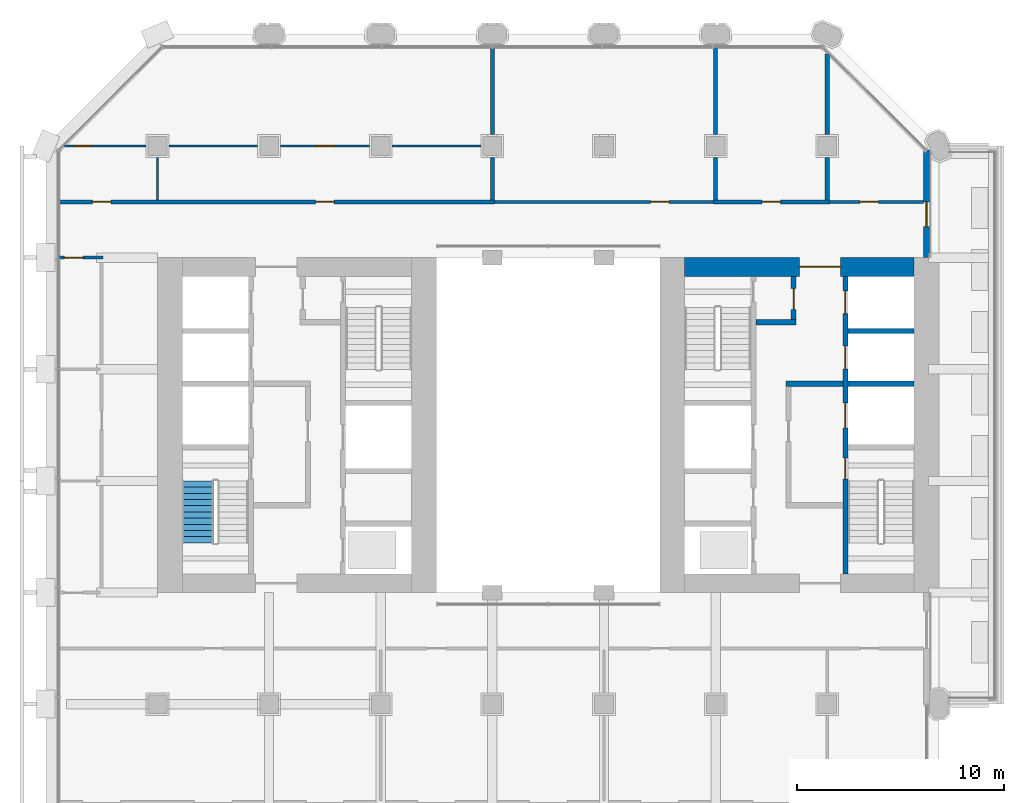
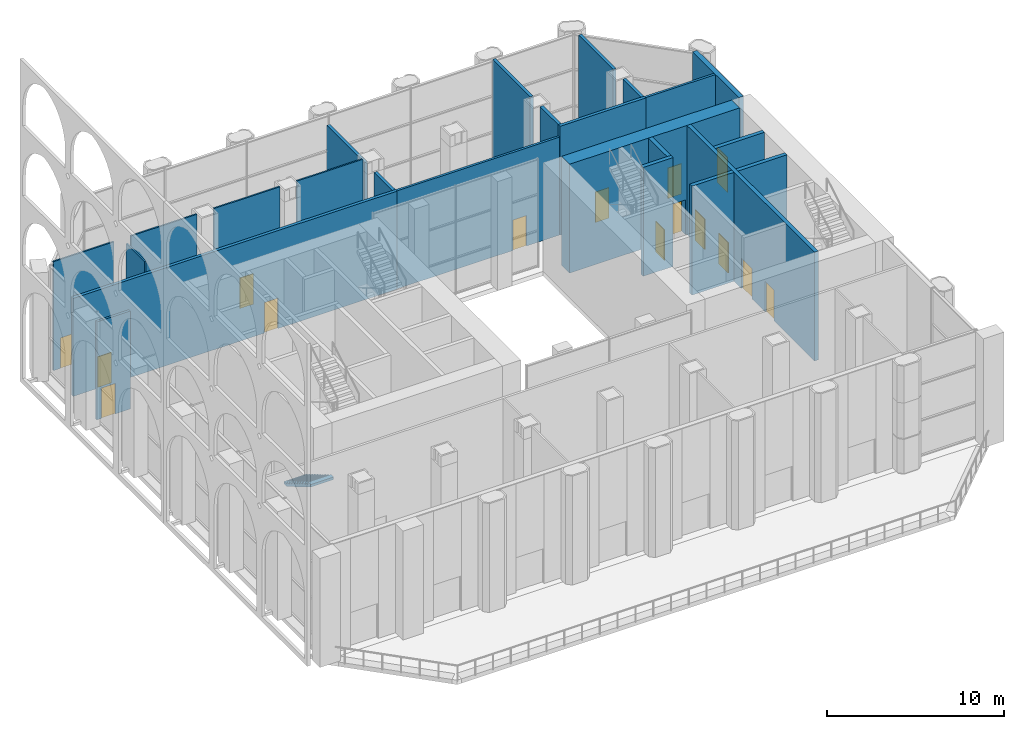
# One storey, part 11 of 20: 24 walls, 15 doors, 1 stair flight, 15 openings, 1 element without a shape of its own.
"""IFC4 building model written with IfcOpenShell, lengths in metres."""

from ifc_helpers import new_model, si_unit, direction, frame, frame_2d, origin, place, context, subcontext, project, spatial, polyline, rectangle, outline, extrude, material, layer, layer_set, type_object, element, fill, aggregate, save


model = new_model("IFC4")

# Units and contexts
model_context = context("Model", 3, precision=1e-05, world=origin(), true_north=direction((0.0, 1.0)))
body_context = subcontext(model_context, "Body", "Model", "MODEL_VIEW")
ifc_project = project(units=[si_unit("LENGTHUNIT", "METRE"), si_unit("AREAUNIT", "SQUARE_METRE"), si_unit("VOLUMEUNIT", "CUBIC_METRE"), si_unit("PLANEANGLEUNIT", "RADIAN"), si_unit("MASSUNIT", "GRAM", prefix="KILO")], contexts=[model_context])

# Site, building, storey
site_placement = place(None, origin())
site = spatial("IfcSite", under=ifc_project, at=site_placement, CompositionType="ELEMENT")
building_placement = place(site_placement, origin())
building = spatial("IfcBuilding", under=site, at=building_placement, Name="Tabaq Tower and Sports Hall", CompositionType="ELEMENT")
storey_placement = place(building_placement, frame((0.0, 0.0, 130.60009765625)))
storey = spatial("IfcBuildingStorey", under=building, at=storey_placement, Name="L31", CompositionType="ELEMENT", Elevation=130.60009765625)

# Wall, opening, door
ifc_material_1 = material(Name="Concrete C50/60", Category="concrete")
ifc_layer_1 = layer(ifc_material_1, 0.89990234375)
ifc_layer_set_1 = layer_set([ifc_layer_1], Name="Core wall 900 Concrete C50/60")
wall_type_1 = type_object("IfcWallType", Name="Core wall 900 Concrete C50/60", PredefinedType="SOLIDWALL", material=ifc_layer_set_1)
wall_1_placement = place(storey_placement, frame((30.89990234375, 31.949951171875, 0.0), z_axis=(0.0, 0.0, 1.0), x_axis=(1.0, 0.0, 0.0)))
wall_1 = element("IfcWall", 1, at=wall_1_placement, inside=storey, type_object=wall_type_1, Name="Core wall E L31", PredefinedType="SOLIDWALL", context=body_context, shape_type="SweptSolid", body=[
    extrude(rectangle(XDim=11.10009765625, YDim=0.89990234375, at=frame_2d((5.550048828125, 0.0))), origin(), (0.0, 0.0, 1.0), 7.5),
])
opening_1_placement = place(wall_1_placement, frame((5.550048828125, 0.0, 0.0)))
opening_1 = element("IfcOpeningElement", 2, at=opening_1_placement, cuts=wall_1, Name="Opening PD-EL31-02", PredefinedType="OPENING", context=body_context, shape_type="SweptSolid", body=[
    extrude(rectangle(XDim=2.0, YDim=2.39990234375, at=frame_2d((1.0, 1.199951171875))), frame((0.0, 0.449951171875, 0.0), z_axis=(0.0, -1.0, 0.0), x_axis=(1.0, 0.0, 0.0)), (0.0, 0.0, 1.0), 0.89990234375),
])
ifc_material_2 = material(Name="Steel fire door", Category="steel")
door_type_1 = type_object("IfcDoorType", Name="Core entrance door 2000", OperationType="DOUBLE_DOOR_SINGLE_SWING", PredefinedType="DOOR", material=ifc_material_2)
door_1_placement = place(opening_1_placement, origin())
door_1 = element("IfcDoor", 3, at=door_1_placement, inside=storey, type_object=door_type_1, Name="Core entrance north E L31", OperationType="DOUBLE_DOOR_SINGLE_SWING", OverallHeight=2.39990234375, OverallWidth=2.0, PredefinedType="DOOR", context=body_context, shape_type="SweptSolid", body=[
    extrude(rectangle(XDim=2.0, YDim=2.39990234375, at=frame_2d((1.0, 1.199951171875))), frame((0.0, 0.02490234375, 0.0), z_axis=(0.0, -1.0, 0.0), x_axis=(1.0, 0.0, 0.0)), (0.0, 0.0, 1.0), 0.050048828125),
])
fill(opening_1, door_1)

ifc_material_3 = material(Name="Blockwork", Category="masonry")
ifc_layer_2 = layer(ifc_material_3, 0.199951171875)
ifc_layer_set_2 = layer_set([ifc_layer_2], Name="Fire compartment wall 200 Blockwork")
wall_type_2 = type_object("IfcWallType", Name="Fire compartment wall 200 Blockwork", PredefinedType="PARTITIONING", material=ifc_layer_set_2)
wall_2_placement = place(storey_placement, frame((37.89990234375, 35.10009765625, 0.0), z_axis=(0.0, 0.0, 1.0), x_axis=(-1.0, 0.0, 0.0)))
wall_2 = element("IfcWall", 4, at=wall_2_placement, inside=storey, type_object=wall_type_2, Name="Compartment wall L31", PredefinedType="PARTITIONING", context=body_context, shape_type="SweptSolid", body=[
    extrude(rectangle(XDim=5.599853515625, YDim=0.199951171875, at=frame_2d((2.7998046875, 0.0))), origin(), (0.0, 0.0, 1.0), 7.5),
])
opening_2_placement = place(wall_2_placement, frame((2.35009765625, 0.0, 0.0)))
opening_2 = element("IfcOpeningElement", 5, at=opening_2_placement, cuts=wall_2, Name="Opening L31-002", PredefinedType="OPENING", context=body_context, shape_type="SweptSolid", body=[
    extrude(rectangle(XDim=0.89990234375, YDim=2.10009765625, at=frame_2d((0.449951171875, 1.050048828125))), frame((0.0, 0.10009765625, 0.0), z_axis=(0.0, -1.0, 0.0), x_axis=(1.0, 0.0, 0.0)), (0.0, 0.0, 1.0), 0.199951171875),
])
ifc_material_4 = material(Name="Steel fire door", Category="steel")
door_type_2 = type_object("IfcDoorType", Name="Plant room door 900 left hand", OperationType="SINGLE_SWING_LEFT", PredefinedType="DOOR", material=ifc_material_4)
door_2_placement = place(opening_2_placement, origin())
door_2 = element("IfcDoor", 6, at=door_2_placement, inside=storey, type_object=door_type_2, Name="Plant room door L31-002", OperationType="SINGLE_SWING_LEFT", OverallHeight=2.10009765625, OverallWidth=0.89990234375, PredefinedType="DOOR", context=body_context, shape_type="SweptSolid", body=[
    extrude(rectangle(XDim=0.89990234375, YDim=2.10009765625, at=frame_2d((0.449951171875, 1.050048828125))), frame((0.0, 0.02490234375, 0.0), z_axis=(0.0, -1.0, 0.0), x_axis=(1.0, 0.0, 0.0)), (0.0, 0.0, 1.0), 0.050048828125),
])
fill(opening_2, door_2)

# Wall, openings, doors
wall_3_placement = place(storey_placement, frame((21.699951171875, 35.10009765625, 0.0), z_axis=(0.0, 0.0, 1.0), x_axis=(-1.0, 0.0, 0.0)))
wall_3 = element("IfcWall", 7, at=wall_3_placement, inside=storey, type_object=wall_type_2, Name="Compartment wall L31", PredefinedType="PARTITIONING", context=body_context, shape_type="SweptSolid", body=[
    extrude(rectangle(XDim=21.099853515625, YDim=0.199951171875, at=frame_2d((10.5498046875, 0.0))), origin(), (0.0, 0.0, 1.0), 6.75),
])
opening_3_placement = place(wall_3_placement, frame((7.75, 0.0, 0.0)))
opening_3 = element("IfcOpeningElement", 8, at=opening_3_placement, cuts=wall_3, Name="Opening L31-008", PredefinedType="OPENING", context=body_context, shape_type="SweptSolid", body=[
    extrude(rectangle(XDim=0.89990234375, YDim=2.10009765625, at=frame_2d((0.449951171875, 1.050048828125))), frame((0.0, 0.10009765625, 0.0), z_axis=(0.0, -1.0, 0.0), x_axis=(1.0, 0.0, 0.0)), (0.0, 0.0, 1.0), 0.199951171875),
])
opening_4_placement = place(wall_3_placement, frame((18.550048828125, 0.0, 0.0)))
opening_4 = element("IfcOpeningElement", 9, at=opening_4_placement, cuts=wall_3, Name="Opening L31-009", PredefinedType="OPENING", context=body_context, shape_type="SweptSolid", body=[
    extrude(rectangle(XDim=0.89990234375, YDim=2.10009765625, at=frame_2d((0.449951171875, 1.050048828125))), frame((0.0, 0.10009765625, 0.0), z_axis=(0.0, -1.0, 0.0), x_axis=(1.0, 0.0, 0.0)), (0.0, 0.0, 1.0), 0.199951171875),
])
ifc_material_5 = material(Name="Steel fire door", Category="steel")
door_type_3 = type_object("IfcDoorType", Name="Entrance door 900 left hand", OperationType="SINGLE_SWING_LEFT", PredefinedType="DOOR", material=ifc_material_5)
door_3_placement = place(opening_4_placement, origin())
door_3 = element("IfcDoor", 10, at=door_3_placement, inside=storey, type_object=door_type_3, Name="Entrance door L31-009", OperationType="SINGLE_SWING_LEFT", OverallHeight=2.10009765625, OverallWidth=0.89990234375, PredefinedType="DOOR", context=body_context, shape_type="SweptSolid", body=[
    extrude(rectangle(XDim=0.89990234375, YDim=2.10009765625, at=frame_2d((0.449951171875, 1.050048828125))), frame((0.0, 0.02490234375, 0.0), z_axis=(0.0, -1.0, 0.0), x_axis=(1.0, 0.0, 0.0)), (0.0, 0.0, 1.0), 0.050048828125),
])
fill(opening_4, door_3)
ifc_material_6 = material(Name="Steel fire door", Category="steel")
door_type_4 = type_object("IfcDoorType", Name="Entrance door 900 right hand", OperationType="SINGLE_SWING_RIGHT", PredefinedType="DOOR", material=ifc_material_6)
door_4_placement = place(opening_3_placement, origin())
door_4 = element("IfcDoor", 11, at=door_4_placement, inside=storey, type_object=door_type_4, Name="Entrance door L31-008", OperationType="SINGLE_SWING_RIGHT", OverallHeight=2.10009765625, OverallWidth=0.89990234375, PredefinedType="DOOR", context=body_context, shape_type="SweptSolid", body=[
    extrude(rectangle(XDim=0.89990234375, YDim=2.10009765625, at=frame_2d((0.449951171875, 1.050048828125))), frame((0.0, 0.02490234375, 0.0), z_axis=(0.0, -1.0, 0.0), x_axis=(1.0, 0.0, 0.0)), (0.0, 0.0, 1.0), 0.050048828125),
])
fill(opening_3, door_4)

# Walls
wall_4_placement = place(storey_placement, frame((32.39990234375, 35.199951171875, 0.0), z_axis=(0.0, 0.0, 1.0), x_axis=(0.0, 1.0, 0.0)))
element("IfcWall", 12, at=wall_4_placement, inside=storey, type_object=wall_type_2, Name="Compartment wall L31", PredefinedType="PARTITIONING", context=body_context, shape_type="SweptSolid", body=[
    extrude(rectangle(XDim=2.04931640625, YDim=0.199951171875, at=frame_2d((1.024658203125, 0.0))), origin(), (0.0, 0.0, 1.0), 7.5),
])
wall_5_placement = place(storey_placement, frame((32.39990234375, 38.3505859375, 0.0), z_axis=(0.0, 0.0, 1.0), x_axis=(0.0, 1.0, 0.0)))
element("IfcWall", 13, at=wall_5_placement, inside=storey, type_object=wall_type_2, Name="Compartment wall L31", PredefinedType="PARTITIONING", context=body_context, shape_type="SweptSolid", body=[
    extrude(rectangle(XDim=4.24951171875, YDim=0.199951171875, at=frame_2d((2.124755859375, 0.0))), origin(), (0.0, 0.0, 1.0), 7.5),
])
wall_6_placement = place(storey_placement, frame((21.60009765625, 42.60009765625, 0.0), z_axis=(0.0, 0.0, 1.0), x_axis=(0.0, -1.0, 0.0)))
element("IfcWall", 14, at=wall_6_placement, inside=storey, type_object=wall_type_2, Name="Compartment wall L31", PredefinedType="PARTITIONING", context=body_context, shape_type="SweptSolid", body=[
    extrude(rectangle(XDim=4.24951171875, YDim=0.199951171875, at=frame_2d((2.124755859375, 0.0))), origin(), (0.0, 0.0, 1.0), 6.75),
])
wall_7_placement = place(storey_placement, frame((21.60009765625, 37.249267578125, 0.0), z_axis=(0.0, 0.0, 1.0), x_axis=(0.0, -1.0, 0.0)))
element("IfcWall", 15, at=wall_7_placement, inside=storey, type_object=wall_type_2, Name="Compartment wall L31", PredefinedType="PARTITIONING", context=body_context, shape_type="SweptSolid", body=[
    extrude(rectangle(XDim=2.04931640625, YDim=0.199951171875, at=frame_2d((1.024658203125, 0.0))), origin(), (0.0, 0.0, 1.0), 6.75),
])
wall_8_placement = place(storey_placement, frame((37.800048828125, 35.199951171875, 0.0), z_axis=(0.0, 0.0, 1.0), x_axis=(0.0, 1.0, 0.0)))
element("IfcWall", 16, at=wall_8_placement, inside=storey, type_object=wall_type_2, Name="Compartment wall L31", PredefinedType="PARTITIONING", context=body_context, shape_type="SweptSolid", body=[
    extrude(rectangle(XDim=2.04931640625, YDim=0.199951171875, at=frame_2d((1.024658203125, 0.0))), origin(), (0.0, 0.0, 1.0), 7.5),
])
wall_9_placement = place(storey_placement, frame((37.800048828125, 38.3505859375, 0.0), z_axis=(0.0, 0.0, 1.0), x_axis=(0.0, 1.0, 0.0)))
element("IfcWall", 17, at=wall_9_placement, inside=storey, type_object=wall_type_2, Name="Compartment wall L31", PredefinedType="PARTITIONING", context=body_context, shape_type="SweptSolid", body=[
    extrude(rectangle(XDim=3.90087890625, YDim=0.199951171875, at=frame_2d((1.950439453125, 0.0))), origin(), (0.0, 0.0, 1.0), 7.5),
])

# Wall, opening, door
ifc_material_7 = material(Name="Gypsum board on steel studs", Category="steel")
ifc_layer_3 = layer(ifc_material_7, 0.10009765625)
ifc_layer_set_3 = layer_set([ifc_layer_3], Name="Partition 100 Gypsum board")
wall_type_3 = type_object("IfcWallType", Name="Partition 100 Gypsum board", PredefinedType="PARTITIONING", material=ifc_layer_set_3)
wall_10_placement = place(storey_placement, frame((0.8984375, 37.800048828125, 0.0), z_axis=(0.0, 0.0, 1.0), x_axis=(1.0, 0.0, 0.0)))
wall_10 = element("IfcWall", 18, at=wall_10_placement, inside=storey, type_object=wall_type_3, Name="Partition wall L31", PredefinedType="PARTITIONING", context=body_context, shape_type="SweptSolid", body=[
    extrude(rectangle(XDim=3.950927734375, YDim=0.10009765625, at=frame_2d((1.9755859375, 0.0))), origin(), (0.0, 0.0, 1.0), 7.5),
])
opening_5_placement = place(wall_10_placement, frame((0.451416015625, 0.0, 0.0)))
opening_5 = element("IfcOpeningElement", 19, at=opening_5_placement, cuts=wall_10, Name="Opening L31-014", PredefinedType="OPENING", context=body_context, shape_type="SweptSolid", body=[
    extrude(rectangle(XDim=0.89990234375, YDim=2.10009765625, at=frame_2d((0.449951171875, 1.050048828125))), frame((0.0, 0.050048828125, 0.0), z_axis=(0.0, -1.0, 0.0), x_axis=(1.0, 0.0, 0.0)), (0.0, 0.0, 1.0), 0.10009765625),
])
ifc_material_8 = material(Name="Timber leaf in steel frame", Category="steel")
door_type_5 = type_object("IfcDoorType", Name="Internal door 900 left hand", OperationType="SINGLE_SWING_LEFT", PredefinedType="DOOR", material=ifc_material_8)
door_5_placement = place(opening_5_placement, origin())
door_5 = element("IfcDoor", 20, at=door_5_placement, inside=storey, type_object=door_type_5, Name="Internal door L31-014", OperationType="SINGLE_SWING_LEFT", OverallHeight=2.10009765625, OverallWidth=0.89990234375, PredefinedType="DOOR", context=body_context, shape_type="SweptSolid", body=[
    extrude(rectangle(XDim=0.89990234375, YDim=2.10009765625, at=frame_2d((0.449951171875, 1.050048828125))), frame((0.0, 0.02490234375, 0.0), z_axis=(0.0, -1.0, 0.0), x_axis=(1.0, 0.0, 0.0)), (0.0, 0.0, 1.0), 0.050048828125),
])
fill(opening_5, door_5)

# Wall
wall_11_placement = place(storey_placement, frame((5.95068359375, 37.800048828125, 0.0), z_axis=(0.0, 0.0, 1.0), x_axis=(1.0, 0.0, 0.0)))
element("IfcWall", 21, at=wall_11_placement, inside=storey, type_object=wall_type_3, Name="Partition wall L31", PredefinedType="PARTITIONING", context=body_context, shape_type="SweptSolid", body=[
    extrude(rectangle(XDim=4.298583984375, YDim=0.10009765625, at=frame_2d((2.1494140625, 0.0))), origin(), (0.0, 0.0, 1.0), 7.5),
])

# Wall, opening, door
wall_12_placement = place(storey_placement, frame((11.3505859375, 37.800048828125, 0.0), z_axis=(0.0, 0.0, 1.0), x_axis=(1.0, 0.0, 0.0)))
wall_12 = element("IfcWall", 22, at=wall_12_placement, inside=storey, type_object=wall_type_3, Name="Partition wall L31", PredefinedType="PARTITIONING", context=body_context, shape_type="SweptSolid", body=[
    extrude(rectangle(XDim=4.298828125, YDim=0.10009765625, at=frame_2d((2.1494140625, 0.0))), origin(), (0.0, 0.0, 1.0), 7.5),
])
opening_6_placement = place(wall_12_placement, frame((1.699462890625, 0.0, 0.0)))
opening_6 = element("IfcOpeningElement", 23, at=opening_6_placement, cuts=wall_12, Name="Opening L31-013", PredefinedType="OPENING", context=body_context, shape_type="SweptSolid", body=[
    extrude(rectangle(XDim=0.89990234375, YDim=2.10009765625, at=frame_2d((0.449951171875, 1.050048828125))), frame((0.0, 0.050048828125, 0.0), z_axis=(0.0, -1.0, 0.0), x_axis=(1.0, 0.0, 0.0)), (0.0, 0.0, 1.0), 0.10009765625),
])
ifc_material_9 = material(Name="Timber leaf in steel frame", Category="steel")
door_type_6 = type_object("IfcDoorType", Name="Internal door 900 right hand", OperationType="SINGLE_SWING_RIGHT", PredefinedType="DOOR", material=ifc_material_9)
door_6_placement = place(opening_6_placement, origin())
door_6 = element("IfcDoor", 24, at=door_6_placement, inside=storey, type_object=door_type_6, Name="Internal door L31-013", OperationType="SINGLE_SWING_RIGHT", OverallHeight=2.10009765625, OverallWidth=0.89990234375, PredefinedType="DOOR", context=body_context, shape_type="SweptSolid", body=[
    extrude(rectangle(XDim=0.89990234375, YDim=2.10009765625, at=frame_2d((0.449951171875, 1.050048828125))), frame((0.0, 0.02490234375, 0.0), z_axis=(0.0, -1.0, 0.0), x_axis=(1.0, 0.0, 0.0)), (0.0, 0.0, 1.0), 0.050048828125),
])
fill(opening_6, door_6)

# Walls
wall_13_placement = place(storey_placement, frame((16.750732421875, 37.800048828125, 0.0), z_axis=(0.0, 0.0, 1.0), x_axis=(1.0, 0.0, 0.0)))
element("IfcWall", 25, at=wall_13_placement, inside=storey, type_object=wall_type_3, Name="Partition wall L31", PredefinedType="PARTITIONING", context=body_context, shape_type="SweptSolid", body=[
    extrude(rectangle(XDim=4.298583984375, YDim=0.10009765625, at=frame_2d((2.1494140625, 0.0))), origin(), (0.0, 0.0, 1.0), 7.5),
])
wall_14_placement = place(storey_placement, frame((5.39990234375, 37.249267578125, 0.0), z_axis=(0.0, 0.0, 1.0), x_axis=(0.0, -1.0, 0.0)))
element("IfcWall", 26, at=wall_14_placement, inside=storey, type_object=wall_type_3, Name="Partition wall L31", PredefinedType="PARTITIONING", context=body_context, shape_type="SweptSolid", body=[
    extrude(rectangle(XDim=2.04931640625, YDim=0.10009765625, at=frame_2d((1.024658203125, 0.0))), origin(), (0.0, 0.0, 1.0), 7.5),
])

# Wall, opening, door
ifc_material_10 = material(Name="Blockwork", Category="masonry")
ifc_layer_4 = layer(ifc_material_10, 0.14990234375)
ifc_layer_set_4 = layer_set([ifc_layer_4], Name="Separating wall 150 Blockwork")
wall_type_4 = type_object("IfcWallType", Name="Separating wall 150 Blockwork", PredefinedType="PARTITIONING", material=ifc_layer_set_4)
wall_15_placement = place(storey_placement, frame((42.448974609375, 35.10009765625, 0.0), z_axis=(0.0, 0.0, 1.0), x_axis=(-1.0, 0.0, 0.0)))
wall_15 = element("IfcWall", 27, at=wall_15_placement, inside=storey, type_object=wall_type_4, Name="Separating wall L31", PredefinedType="PARTITIONING", context=body_context, shape_type="SweptSolid", body=[
    extrude(rectangle(XDim=4.549072265625, YDim=0.14990234375, at=frame_2d((2.2744140625, 0.0))), origin(), (0.0, 0.0, 1.0), 7.5),
])
opening_7_placement = place(wall_15_placement, frame((2.174072265625, 0.0, 0.0)))
opening_7 = element("IfcOpeningElement", 28, at=opening_7_placement, cuts=wall_15, Name="Opening L31-003", PredefinedType="OPENING", context=body_context, shape_type="SweptSolid", body=[
    extrude(rectangle(XDim=0.89990234375, YDim=2.10009765625, at=frame_2d((0.449951171875, 1.050048828125))), frame((0.0, 0.074951171875, 0.0), z_axis=(0.0, -1.0, 0.0), x_axis=(1.0, 0.0, 0.0)), (0.0, 0.0, 1.0), 0.14990234375),
])
door_7_placement = place(opening_7_placement, origin())
door_7 = element("IfcDoor", 29, at=door_7_placement, inside=storey, type_object=door_type_5, Name="Internal door L31-003", OperationType="SINGLE_SWING_LEFT", OverallHeight=2.10009765625, OverallWidth=0.89990234375, PredefinedType="DOOR", context=body_context, shape_type="SweptSolid", body=[
    extrude(rectangle(XDim=0.89990234375, YDim=2.10009765625, at=frame_2d((0.449951171875, 1.050048828125))), frame((0.0, 0.02490234375, 0.0), z_axis=(0.0, -1.0, 0.0), x_axis=(1.0, 0.0, 0.0)), (0.0, 0.0, 1.0), 0.050048828125),
])
fill(opening_7, door_7)

wall_16_placement = place(storey_placement, frame((32.300048828125, 35.10009765625, 0.0), z_axis=(0.0, 0.0, 1.0), x_axis=(-1.0, 0.0, 0.0)))
wall_16 = element("IfcWall", 30, at=wall_16_placement, inside=storey, type_object=wall_type_4, Name="Separating wall L31", PredefinedType="PARTITIONING", context=body_context, shape_type="SweptSolid", body=[
    extrude(rectangle(XDim=10.60009765625, YDim=0.14990234375, at=frame_2d((5.300048828125, 0.0))), origin(), (0.0, 0.0, 1.0), 6.75),
])
opening_8_placement = place(wall_16_placement, frame((2.14990234375, 0.0, 0.0)))
opening_8 = element("IfcOpeningElement", 31, at=opening_8_placement, cuts=wall_16, Name="Opening L31-001", PredefinedType="OPENING", context=body_context, shape_type="SweptSolid", body=[
    extrude(rectangle(XDim=0.89990234375, YDim=2.10009765625, at=frame_2d((0.449951171875, 1.050048828125))), frame((0.0, 0.074951171875, 0.0), z_axis=(0.0, -1.0, 0.0), x_axis=(1.0, 0.0, 0.0)), (0.0, 0.0, 1.0), 0.14990234375),
])
door_8_placement = place(opening_8_placement, origin())
door_8 = element("IfcDoor", 32, at=door_8_placement, inside=storey, type_object=door_type_5, Name="Internal door L31-001", OperationType="SINGLE_SWING_LEFT", OverallHeight=2.10009765625, OverallWidth=0.89990234375, PredefinedType="DOOR", context=body_context, shape_type="SweptSolid", body=[
    extrude(rectangle(XDim=0.89990234375, YDim=2.10009765625, at=frame_2d((0.449951171875, 1.050048828125))), frame((0.0, 0.02490234375, 0.0), z_axis=(0.0, -1.0, 0.0), x_axis=(1.0, 0.0, 0.0)), (0.0, 0.0, 1.0), 0.050048828125),
])
fill(opening_8, door_8)

wall_17_placement = place(storey_placement, frame((0.60009765625, 32.39990234375, 0.0), z_axis=(0.0, 0.0, 1.0), x_axis=(1.0, 0.0, 0.0)))
wall_17 = element("IfcWall", 33, at=wall_17_placement, inside=storey, type_object=wall_type_4, Name="Separating wall L31", PredefinedType="PARTITIONING", context=body_context, shape_type="SweptSolid", body=[
    extrude(rectangle(XDim=2.1748046875, YDim=0.14990234375, at=frame_2d((1.08740234375, 0.0))), origin(), (0.0, 0.0, 1.0), 6.75),
])
opening_9_placement = place(wall_17_placement, frame((0.300048828125, 0.0, 0.0)))
opening_9 = element("IfcOpeningElement", 34, at=opening_9_placement, cuts=wall_17, Name="Opening L31-007", PredefinedType="OPENING", context=body_context, shape_type="SweptSolid", body=[
    extrude(rectangle(XDim=0.89990234375, YDim=2.10009765625, at=frame_2d((0.449951171875, 1.050048828125))), frame((0.0, 0.074951171875, 0.0), z_axis=(0.0, -1.0, 0.0), x_axis=(1.0, 0.0, 0.0)), (0.0, 0.0, 1.0), 0.14990234375),
])
door_9_placement = place(opening_9_placement, origin())
door_9 = element("IfcDoor", 35, at=door_9_placement, inside=storey, type_object=door_type_6, Name="Internal door L31-007", OperationType="SINGLE_SWING_RIGHT", OverallHeight=2.10009765625, OverallWidth=0.89990234375, PredefinedType="DOOR", context=body_context, shape_type="SweptSolid", body=[
    extrude(rectangle(XDim=0.89990234375, YDim=2.10009765625, at=frame_2d((0.449951171875, 1.050048828125))), frame((0.0, 0.02490234375, 0.0), z_axis=(0.0, -1.0, 0.0), x_axis=(1.0, 0.0, 0.0)), (0.0, 0.0, 1.0), 0.050048828125),
])
fill(opening_9, door_9)

# Wall, openings, doors
ifc_material_11 = material(Name="Concrete C40/50", Category="concrete")
ifc_layer_5 = layer(ifc_material_11, 0.25)
ifc_layer_set_5 = layer_set([ifc_layer_5], Name="Shaft and stair wall 250 Concrete C40/50")
wall_type_5 = type_object("IfcWallType", Name="Shaft and stair wall 250 Concrete C40/50", PredefinedType="SOLIDWALL", material=ifc_layer_set_5)
wall_18_placement = place(storey_placement, frame((38.675048828125, 17.10009765625, 0.0), z_axis=(0.0, 0.0, 1.0), x_axis=(0.0, 1.0, 0.0)))
wall_18 = element("IfcWall", 36, at=wall_18_placement, inside=storey, type_object=wall_type_5, Name="Shaft wall E L31", PredefinedType="SOLIDWALL", context=body_context, shape_type="SweptSolid", body=[
    extrude(rectangle(XDim=14.39990234375, YDim=0.25, at=frame_2d((7.199951171875, 0.0))), origin(), (0.0, 0.0, 1.0), 7.5),
])
opening_10_placement = place(wall_18_placement, frame((4.60009765625, 0.0, 0.0)))
opening_10 = element("IfcOpeningElement", 37, at=opening_10_placement, cuts=wall_18, Name="Opening SD-EL31-03", PredefinedType="OPENING", context=body_context, shape_type="SweptSolid", body=[
    extrude(rectangle(XDim=1.0, YDim=2.10009765625, at=frame_2d((0.5, 1.050048828125))), frame((0.0, 0.125, 0.0), z_axis=(0.0, -1.0, 0.0), x_axis=(1.0, 0.0, 0.0)), (0.0, 0.0, 1.0), 0.25),
])
opening_11_placement = place(wall_18_placement, frame((7.0625, 0.0, 0.0)))
opening_11 = element("IfcOpeningElement", 38, at=opening_11_placement, cuts=wall_18, Name="Opening LD-FF2-L31", PredefinedType="OPENING", context=body_context, shape_type="SweptSolid", body=[
    extrude(rectangle(XDim=1.199951171875, YDim=2.10009765625, at=frame_2d((0.60009765625, 1.050048828125))), frame((0.0, 0.125, 0.0), z_axis=(0.0, -1.0, 0.0), x_axis=(1.0, 0.0, 0.0)), (0.0, 0.0, 1.0), 0.25),
])
opening_12_placement = place(wall_18_placement, frame((9.925048828125, 0.0, 0.0)))
opening_12 = element("IfcOpeningElement", 39, at=opening_12_placement, cuts=wall_18, Name="Opening LD-LR3-L31", PredefinedType="OPENING", context=body_context, shape_type="SweptSolid", body=[
    extrude(rectangle(XDim=1.10009765625, YDim=2.10009765625, at=frame_2d((0.550048828125, 1.050048828125))), frame((0.0, 0.125, 0.0), z_axis=(0.0, -1.0, 0.0), x_axis=(1.0, 0.0, 0.0)), (0.0, 0.0, 1.0), 0.25),
])
opening_13_placement = place(wall_18_placement, frame((12.58740234375, 0.0, 0.0)))
opening_13 = element("IfcOpeningElement", 40, at=opening_13_placement, cuts=wall_18, Name="Opening LD-LR4-L31", PredefinedType="OPENING", context=body_context, shape_type="SweptSolid", body=[
    extrude(rectangle(XDim=1.10009765625, YDim=2.10009765625, at=frame_2d((0.550048828125, 1.050048828125))), frame((0.0, 0.125, 0.0), z_axis=(0.0, -1.0, 0.0), x_axis=(1.0, 0.0, 0.0)), (0.0, 0.0, 1.0), 0.25),
])
ifc_material_12 = material(Name="Stainless steel", Category="steel")
door_type_7 = type_object("IfcDoorType", Name="Lift landing door 1100", OperationType="DOUBLE_DOOR_SLIDING", PredefinedType="DOOR", material=ifc_material_12)
door_10_placement = place(opening_12_placement, origin())
door_10 = element("IfcDoor", 41, at=door_10_placement, inside=storey, type_object=door_type_7, Name="Lift landing door LR3 E L31", OperationType="DOUBLE_DOOR_SLIDING", OverallHeight=2.10009765625, OverallWidth=1.10009765625, PredefinedType="DOOR", context=body_context, shape_type="SweptSolid", body=[
    extrude(rectangle(XDim=1.10009765625, YDim=2.10009765625, at=frame_2d((0.550048828125, 1.050048828125))), frame((0.0, 0.02490234375, 0.0), z_axis=(0.0, -1.0, 0.0), x_axis=(1.0, 0.0, 0.0)), (0.0, 0.0, 1.0), 0.050048828125),
])
fill(opening_12, door_10)
door_11_placement = place(opening_13_placement, origin())
door_11 = element("IfcDoor", 42, at=door_11_placement, inside=storey, type_object=door_type_7, Name="Lift landing door LR4 E L31", OperationType="DOUBLE_DOOR_SLIDING", OverallHeight=2.10009765625, OverallWidth=1.10009765625, PredefinedType="DOOR", context=body_context, shape_type="SweptSolid", body=[
    extrude(rectangle(XDim=1.10009765625, YDim=2.10009765625, at=frame_2d((0.550048828125, 1.050048828125))), frame((0.0, 0.02490234375, 0.0), z_axis=(0.0, -1.0, 0.0), x_axis=(1.0, 0.0, 0.0)), (0.0, 0.0, 1.0), 0.050048828125),
])
fill(opening_13, door_11)
ifc_material_13 = material(Name="Stainless steel", Category="steel")
door_type_8 = type_object("IfcDoorType", Name="Lift landing door 1200", OperationType="DOUBLE_DOOR_SLIDING", PredefinedType="DOOR", material=ifc_material_13)
door_12_placement = place(opening_11_placement, origin())
door_12 = element("IfcDoor", 43, at=door_12_placement, inside=storey, type_object=door_type_8, Name="Lift landing door FF2 E L31", OperationType="DOUBLE_DOOR_SLIDING", OverallHeight=2.10009765625, OverallWidth=1.199951171875, PredefinedType="DOOR", context=body_context, shape_type="SweptSolid", body=[
    extrude(rectangle(XDim=1.199951171875, YDim=2.10009765625, at=frame_2d((0.60009765625, 1.050048828125))), frame((0.0, 0.02490234375, 0.0), z_axis=(0.0, -1.0, 0.0), x_axis=(1.0, 0.0, 0.0)), (0.0, 0.0, 1.0), 0.050048828125),
])
fill(opening_11, door_12)
ifc_material_14 = material(Name="Steel fire door", Category="steel")
door_type_9 = type_object("IfcDoorType", Name="Stair door 1000", OperationType="SINGLE_SWING_LEFT", PredefinedType="DOOR", material=ifc_material_14)
door_13_placement = place(opening_10_placement, origin())
door_13 = element("IfcDoor", 44, at=door_13_placement, inside=storey, type_object=door_type_9, Name="Stair door ST3 E L31", OperationType="SINGLE_SWING_LEFT", OverallHeight=2.10009765625, OverallWidth=1.0, PredefinedType="DOOR", context=body_context, shape_type="SweptSolid", body=[
    extrude(rectangle(XDim=1.0, YDim=2.10009765625, at=frame_2d((0.5, 1.050048828125))), frame((0.0, 0.02490234375, 0.0), z_axis=(0.0, -1.0, 0.0), x_axis=(1.0, 0.0, 0.0)), (0.0, 0.0, 1.0), 0.050048828125),
])
fill(opening_10, door_13)

# Walls
wall_19_placement = place(storey_placement, frame((38.800048828125, 26.300048828125, 0.0), z_axis=(0.0, 0.0, 1.0), x_axis=(1.0, 0.0, 0.0)))
element("IfcWall", 45, at=wall_19_placement, inside=storey, type_object=wall_type_5, Name="Shaft wall E L31", PredefinedType="SOLIDWALL", context=body_context, shape_type="SweptSolid", body=[
    extrude(rectangle(XDim=3.199951171875, YDim=0.25, at=frame_2d((1.60009765625, 0.0))), origin(), (0.0, 0.0, 1.0), 7.5),
])
wall_20_placement = place(storey_placement, frame((35.800048828125, 26.300048828125, 0.0), z_axis=(0.0, 0.0, 1.0), x_axis=(1.0, 0.0, 0.0)))
element("IfcWall", 46, at=wall_20_placement, inside=storey, type_object=wall_type_5, Name="Fire-fighting lobby wall E L31", PredefinedType="SOLIDWALL", context=body_context, shape_type="SweptSolid", body=[
    extrude(rectangle(XDim=2.75, YDim=0.25, at=frame_2d((1.375, 0.0))), origin(), (0.0, 0.0, 1.0), 7.5),
])

# Wall, opening, door
wall_21_placement = place(storey_placement, frame((36.175048828125, 29.39990234375, 0.0), z_axis=(0.0, 0.0, 1.0), x_axis=(0.0, 1.0, 0.0)))
wall_21 = element("IfcWall", 47, at=wall_21_placement, inside=storey, type_object=wall_type_5, Name="Fire-fighting lobby wall E L31", PredefinedType="SOLIDWALL", context=body_context, shape_type="SweptSolid", body=[
    extrude(rectangle(XDim=2.10009765625, YDim=0.25, at=frame_2d((1.050048828125, 0.0))), origin(), (0.0, 0.0, 1.0), 7.5),
])
opening_14_placement = place(wall_21_placement, frame((0.5, 0.0, 0.0)))
opening_14 = element("IfcOpeningElement", 48, at=opening_14_placement, cuts=wall_21, Name="Opening FD-EL31-06", PredefinedType="OPENING", context=body_context, shape_type="SweptSolid", body=[
    extrude(rectangle(XDim=1.0, YDim=2.10009765625, at=frame_2d((0.5, 1.050048828125))), frame((0.0, 0.125, 0.0), z_axis=(0.0, -1.0, 0.0), x_axis=(1.0, 0.0, 0.0)), (0.0, 0.0, 1.0), 0.25),
])
ifc_material_15 = material(Name="Steel fire door", Category="steel")
door_type_10 = type_object("IfcDoorType", Name="Fire-fighting lobby door 1000", OperationType="SINGLE_SWING_LEFT", PredefinedType="DOOR", material=ifc_material_15)
door_14_placement = place(opening_14_placement, origin())
door_14 = element("IfcDoor", 49, at=door_14_placement, inside=storey, type_object=door_type_10, Name="Stair lobby door E L31", OperationType="SINGLE_SWING_LEFT", OverallHeight=2.10009765625, OverallWidth=1.0, PredefinedType="DOOR", context=body_context, shape_type="SweptSolid", body=[
    extrude(rectangle(XDim=1.0, YDim=2.10009765625, at=frame_2d((0.5, 1.050048828125))), frame((0.0, 0.02490234375, 0.0), z_axis=(0.0, -1.0, 0.0), x_axis=(1.0, 0.0, 0.0)), (0.0, 0.0, 1.0), 0.050048828125),
])
fill(opening_14, door_14)

# Walls
wall_22_placement = place(storey_placement, frame((34.35009765625, 29.27490234375, 0.0), z_axis=(0.0, 0.0, 1.0), x_axis=(1.0, 0.0, 0.0)))
element("IfcWall", 50, at=wall_22_placement, inside=storey, type_object=wall_type_5, Name="Fire-fighting lobby wall E L31", PredefinedType="SOLIDWALL", context=body_context, shape_type="SweptSolid", body=[
    extrude(rectangle(XDim=1.949951171875, YDim=0.25, at=frame_2d((0.97509765625, 0.0))), origin(), (0.0, 0.0, 1.0), 7.5),
])
wall_23_placement = place(storey_placement, frame((38.800048828125, 28.85009765625, 0.0), z_axis=(0.0, 0.0, 1.0), x_axis=(1.0, 0.0, 0.0)))
element("IfcWall", 51, at=wall_23_placement, inside=storey, type_object=wall_type_5, Name="Shaft wall E L31", PredefinedType="SOLIDWALL", context=body_context, shape_type="SweptSolid", body=[
    extrude(rectangle(XDim=3.199951171875, YDim=0.25, at=frame_2d((1.60009765625, 0.0))), origin(), (0.0, 0.0, 1.0), 7.5),
])

# Wall, opening, door
ifc_material_16 = material(Name="White precast concrete C60/75", Category="concrete")
ifc_layer_6 = layer(ifc_material_16, 0.300048828125)
ifc_layer_set_6 = layer_set([ifc_layer_6], Name="White precast concrete C60/75 external wall 300")
wall_type_6 = type_object("IfcWallType", Name="White precast concrete C60/75 external wall 300", PredefinedType="SOLIDWALL", material=ifc_layer_set_6)
wall_24_placement = place(storey_placement, frame((42.60009765625, 32.39990234375, 0.0), z_axis=(0.0, 0.0, 1.0), x_axis=(0.0, 1.0, 0.0)))
wall_24 = element("IfcWall", 52, at=wall_24_placement, inside=storey, type_object=wall_type_6, Name="External Wall L31 E", PredefinedType="SOLIDWALL", context=body_context, shape_type="SweptSolid", body=[
    extrude(rectangle(XDim=5.213623046875, YDim=0.300048828125, at=frame_2d((2.60693359375, 0.0))), origin(), (0.0, 0.0, 1.0), 7.5),
])
opening_15_placement = place(wall_24_placement, frame((1.5, 0.0, 0.0)))
opening_15 = element("IfcOpeningElement", 53, at=opening_15_placement, cuts=wall_24, Name="Opening TD3109", PredefinedType="OPENING", context=body_context, shape_type="SweptSolid", body=[
    extrude(rectangle(XDim=1.199951171875, YDim=2.39990234375, at=frame_2d((0.60009765625, 1.199951171875))), frame((0.0, 0.16015625, 0.0), z_axis=(0.0, -1.0, 0.0), x_axis=(1.0, 0.0, 0.0)), (0.0, 0.0, 1.0), 0.320068359375),
])
ifc_material_17 = material(Name="Aluminium framed clear glazing", Category="aluminium")
door_type_11 = type_object("IfcDoorType", Name="Terrace door TD2", OperationType="SINGLE_SWING_LEFT", PredefinedType="DOOR", material=ifc_material_17)
door_15_placement = place(opening_15_placement, origin())
door_15 = element("IfcDoor", 54, at=door_15_placement, inside=storey, type_object=door_type_11, Name="Terrace door TD3109", OperationType="SINGLE_SWING_LEFT", OverallHeight=2.39990234375, OverallWidth=1.199951171875, PredefinedType="DOOR", context=body_context, shape_type="SweptSolid", body=[
    extrude(rectangle(XDim=1.199951171875, YDim=2.39990234375, at=frame_2d((0.60009765625, 1.199951171875))), frame((0.0, 0.02490234375, 0.0), z_axis=(0.0, -1.0, 0.0), x_axis=(1.0, 0.0, 0.0)), (0.0, 0.0, 1.0), 0.050048828125),
])
fill(opening_15, door_15)

# Stair, stair flight
ifc_material_18 = material(Name="Concrete C40/50", Category="concrete")
stair_type = type_object("IfcStairType", Name="Exit stair", PredefinedType="HALF_TURN_STAIR", material=ifc_material_18)
stair_placement = place(storey_placement, origin())
stair = element("IfcStair", 55, at=stair_placement, inside=storey, type_object=stair_type, Name="L31 Exit stair ST1", PredefinedType="HALF_TURN_STAIR")
ifc_material_19 = material(Name="Concrete C40/50", Category="concrete")
stair_flight_type = type_object("IfcStairFlightType", Name="Exit stair flight", PredefinedType="STRAIGHT", material=ifc_material_19)
stair_flight_placement = place(storey_placement, frame((7.35009765625, 21.60009765625, 0.0), z_axis=(0.0, 0.0, 1.0), x_axis=(0.0, -1.0, 0.0)))
stair_flight = element("IfcStairFlight", 56, at=stair_flight_placement, type_object=stair_flight_type, Name="ST1 flight 1", NumberOfRisers=11, NumberOfTreads=10, PredefinedType="STRAIGHT", RiserHeight=0.177272727, TreadLength=0.3, context=body_context, shape_type="SweptSolid", body=[
    extrude(outline(polyline([(0.0, 0.0), (0.0, 0.17724609375), (0.300048828125, 0.17724609375), (0.300048828125, 0.3544921875), (0.60009765625, 0.3544921875), (0.60009765625, 0.53173828125), (0.89990234375, 0.53173828125), (0.89990234375, 0.708984375), (1.199951171875, 0.708984375), (1.199951171875, 0.886474609375), (1.5, 0.886474609375), (1.5, 1.063720703125), (1.800048828125, 1.063720703125), (1.800048828125, 1.240966796875), (2.10009765625, 1.240966796875), (2.10009765625, 1.418212890625), (2.39990234375, 1.418212890625), (2.39990234375, 1.595458984375), (2.699951171875, 1.595458984375), (2.699951171875, 1.772705078125), (3.0, 1.772705078125), (3.0, 1.949951171875), (3.0, 1.5986328125), (0.294677734375, 0.0), (0.0, 0.0)])), frame((0.0, 0.75, 0.0), z_axis=(0.0, -1.0, 0.0), x_axis=(1.0, 0.0, 0.0)), (0.0, 0.0, 1.0), 1.5),
])
aggregate(stair, [stair_flight])

save(model, "model.ifc")
